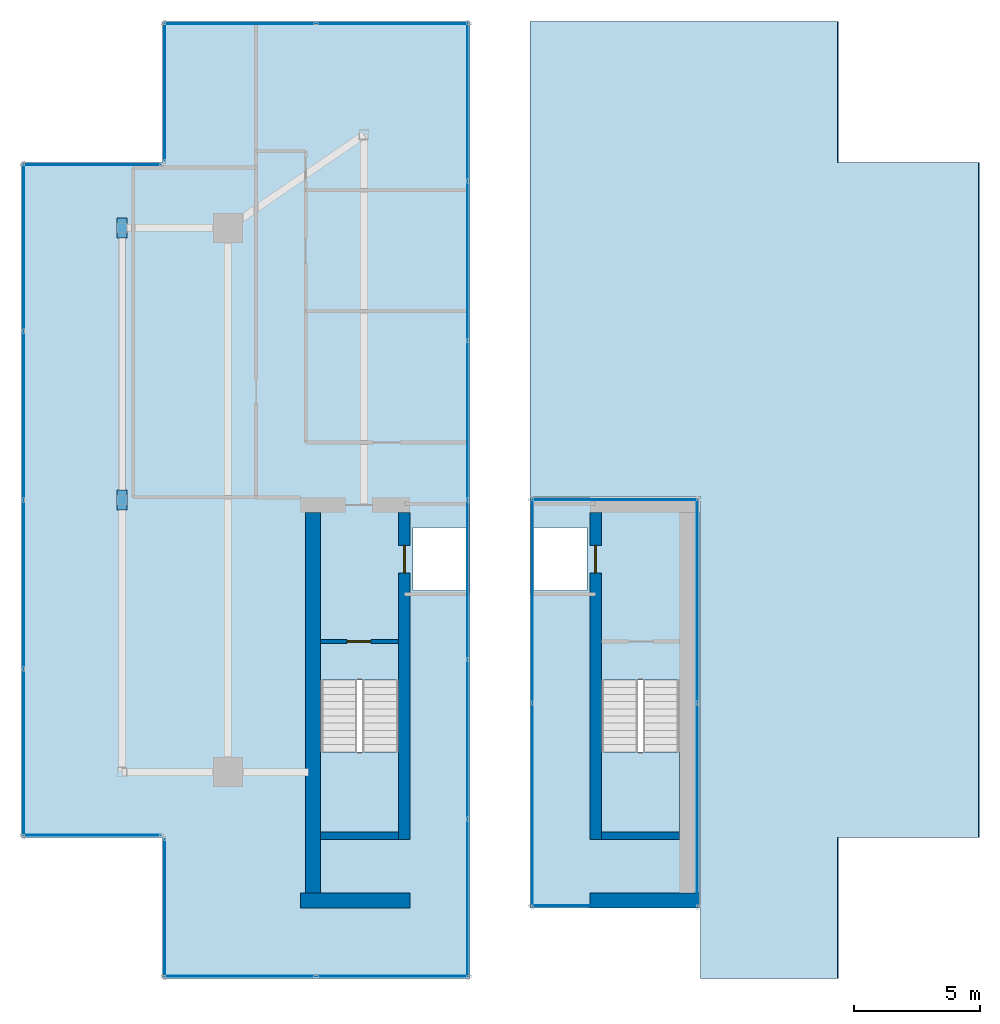
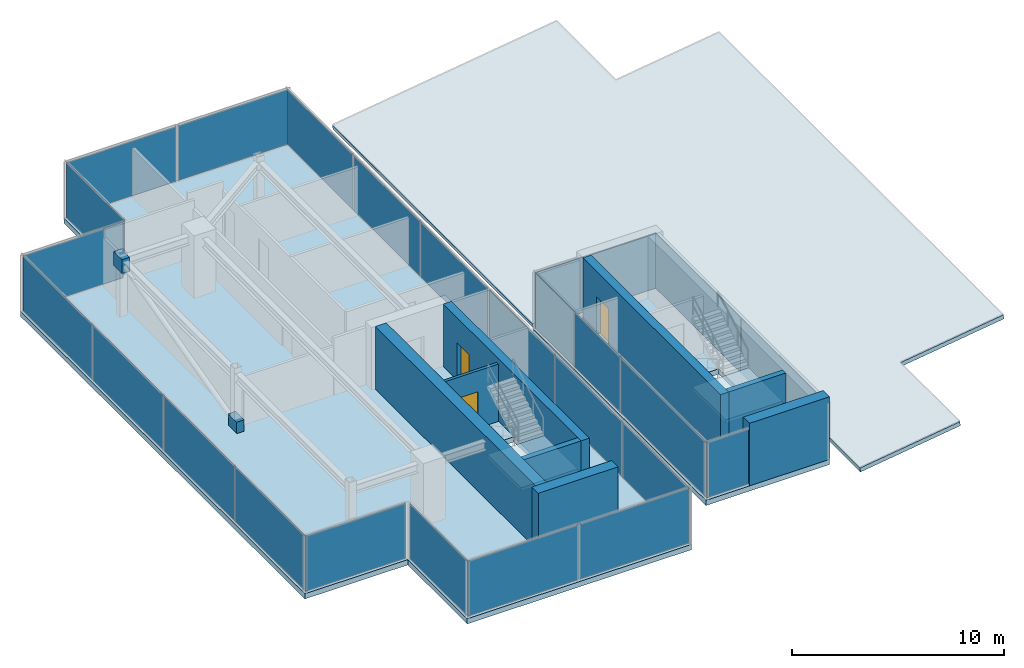
# One storey, part 14 of 16: 26 plates, 8 walls, 5 slabs, 3 doors, 3 openings, 14 elements without a shape of their own.
"""IFC4 building model written with IfcOpenShell, lengths in metres."""

from ifc_helpers import new_model, si_unit, direction, frame, frame_2d, origin, origin_2d, place, context, subcontext, project, spatial, polyline, rectangle, outline, extrude, source, transform, mapped, material, layer, layer_set, type_object, type_shapes, element, fill, aggregate, save


model = new_model("IFC4")

# Units and contexts
model_context = context("Model", 3, precision=1e-05, world=origin(), true_north=direction((0.0, 1.0)))
body_context = subcontext(model_context, "Body", "Model", "MODEL_VIEW")
ifc_project = project(units=[si_unit("LENGTHUNIT", "METRE"), si_unit("AREAUNIT", "SQUARE_METRE"), si_unit("VOLUMEUNIT", "CUBIC_METRE"), si_unit("PLANEANGLEUNIT", "RADIAN"), si_unit("MASSUNIT", "GRAM", prefix="KILO")], contexts=[model_context])

# Site, building, storey
site_placement = place(None, origin())
site = spatial("IfcSite", under=ifc_project, at=site_placement, CompositionType="ELEMENT")
building_placement = place(site_placement, origin())
building = spatial("IfcBuilding", under=site, at=building_placement, Name="Krantzveldt Concourse Tower", CompositionType="ELEMENT")
storey_placement = place(building_placement, frame((0.0, 0.0, 378.25)))
storey = spatial("IfcBuildingStorey", under=building, at=storey_placement, Name="L93", CompositionType="ELEMENT", Elevation=378.25)

# Stair, slab
ifc_material_1 = material(Name="Precast concrete C40/50", Category="concrete")
stair_type = type_object("IfcStairType", Name="STR-CORE-DOGLEG", PredefinedType="HALF_TURN_STAIR", material=ifc_material_1)
stair_1_placement = place(storey_placement, origin())
stair_1 = element("IfcStair", 1, at=stair_1_placement, inside=storey, type_object=stair_type, Name="L93 Protected Escape Stair ST-1", PredefinedType="HALF_TURN_STAIR")
ifc_layer_1 = layer(ifc_material_1, 0.199951171875, Name="Precast concrete C40/50", Category="concrete")
ifc_layer_set_1 = layer_set([ifc_layer_1], Name="Precast concrete C40/50 (SL-LANDING-200)")
slab_type_1 = type_object("IfcSlabType", Name="SL-LANDING-200", PredefinedType="LANDING", material=ifc_layer_set_1)
slab_1_placement = place(storey_placement, frame((0.0, 0.0, 1.60009765625)))
slab_1 = element("IfcSlab", 2, at=slab_1_placement, type_object=slab_type_1, Name="ST-1 landing 1", PredefinedType="LANDING", context=body_context, shape_type="SweptSolid", body=[
    extrude(outline(polyline([(28.8798828125, 16.699951171875), (28.8798828125, 13.52001953125), (31.97998046875, 13.52001953125), (31.97998046875, 16.699951171875), (28.8798828125, 16.699951171875)])), origin(), (0.0, 0.0, 1.0), 0.199951171875),
])
aggregate(stair_1, [slab_1])

stair_2_placement = place(storey_placement, origin())
stair_2 = element("IfcStair", 3, at=stair_2_placement, inside=storey, type_object=stair_type, Name="L93 Protected Escape Stair ST-2", PredefinedType="HALF_TURN_STAIR")
slab_2_placement = place(storey_placement, frame((0.0, 0.0, 1.60009765625)))
slab_2 = element("IfcSlab", 4, at=slab_2_placement, type_object=slab_type_1, Name="ST-2 landing 1", PredefinedType="LANDING", context=body_context, shape_type="SweptSolid", body=[
    extrude(outline(polyline([(40.02001953125, 16.699951171875), (40.02001953125, 13.52001953125), (43.1201171875, 13.52001953125), (43.1201171875, 16.699951171875), (40.02001953125, 16.699951171875)])), origin(), (0.0, 0.0, 1.0), 0.199951171875),
])
aggregate(stair_2, [slab_2])

# Slabs
ifc_material_2 = material(Name="Concrete C40/50", Category="concrete")
ifc_layer_2 = layer(ifc_material_2, 0.300048828125, Name="Concrete C40/50", Category="concrete")
ifc_layer_set_2 = layer_set([ifc_layer_2], Name="Concrete C40/50 (SL-SL-CRN300)")
slab_type_2 = type_object("IfcSlabType", Name="SL-SL-CRN300", PredefinedType="FLOOR", material=ifc_layer_set_2)
slab_3_placement = place(storey_placement, frame((0.0, 0.0, -0.300048828125)))
element("IfcSlab", 5, at=slab_3_placement, inside=storey, type_object=slab_type_2, Name="SL-L93-WEST", PredefinedType="FLOOR", context=body_context, shape_type="SweptSolid", body=[
    extrude(outline(polyline([(22.60009765625, 7.699951171875), (34.800048828125, 7.699951171875), (34.800048828125, 45.699951171875), (22.60009765625, 45.699951171875), (22.60009765625, 40.10009765625), (17.0, 40.10009765625), (17.0, 13.300048828125), (22.60009765625, 13.300048828125), (22.60009765625, 7.699951171875)]), holes=[polyline([(28.8798828125, 19.547607421875), (28.8798828125, 13.52001953125), (31.97998046875, 13.52001953125), (31.97998046875, 19.547607421875), (28.8798828125, 19.547607421875)]), polyline([(32.550048828125, 23.10009765625), (34.64990234375, 23.10009765625), (34.64990234375, 25.60009765625), (32.550048828125, 25.60009765625), (32.550048828125, 23.10009765625)])]), origin(), (0.0, 0.0, 1.0), 0.300048828125),
])
slab_4_placement = place(storey_placement, frame((0.0, 0.0, -0.300048828125)))
element("IfcSlab", 6, at=slab_4_placement, inside=storey, type_object=slab_type_2, Name="SL-L93-EAST", PredefinedType="FLOOR", context=body_context, shape_type="SweptSolid", body=[
    extrude(outline(polyline([(37.199951171875, 10.5), (43.919921875, 10.5), (43.919921875, 26.800048828125), (37.199951171875, 26.800048828125), (37.199951171875, 10.5)]), holes=[polyline([(40.02001953125, 19.547607421875), (40.02001953125, 13.52001953125), (43.1201171875, 13.52001953125), (43.1201171875, 19.547607421875), (40.02001953125, 19.547607421875)]), polyline([(37.35009765625, 23.10009765625), (39.449951171875, 23.10009765625), (39.449951171875, 25.60009765625), (37.35009765625, 25.60009765625), (37.35009765625, 23.10009765625)])]), origin(), (0.0, 0.0, 1.0), 0.300048828125),
])
ifc_layer_3 = layer(ifc_material_1, 0.239990234375, Name="Precast concrete C40/50", Category="concrete")
ifc_layer_set_3 = layer_set([ifc_layer_3], Name="Precast concrete C40/50 (SL-SL-CROOF240)")
slab_type_3 = type_object("IfcSlabType", Name="SL-SL-CROOF240", PredefinedType="ROOF", material=ifc_layer_set_3)
slab_5_placement = place(storey_placement, frame((43.9599609375, 7.699951171875, 1.18603515625), z_axis=(-0.139168289457, -1.38246e-06, 0.990268744941), x_axis=(0.990268744942, 3.5e-11, 0.139168289457)))
element("IfcSlab", 7, at=slab_5_placement, inside=storey, type_object=slab_type_3, Name="SL-L93-EAST_ROOF", PredefinedType="ROOF", context=body_context, shape_type="SweptSolid", body=[
    extrude(outline(polyline([(0.0, 0.0), (5.493418764009721, -2.117582368135751e-22), (5.493418764207177, 5.600097656244649), (11.148527130517373, 5.6000976558407), (11.148527131462322, 32.4001464839401), (5.493418765152128, 32.40014648434404), (5.493418765349574, 37.99999999996369), (-6.826429464720874, 38.000000000303984), (-6.82642946538586, 19.140136719072), (6.748675632469836e-10, 19.14013671873171), (0.0, 0.0)])), origin(), (0.0, 0.0, -1.0), 0.239990234375),
])

# Plates
ifc_material_3 = material(Name="Steel S355J2", Category="steel")
ifc_layer_4 = layer(ifc_material_3, 0.0400390625, Name="Steel S355J2", Category="steel")
ifc_layer_set_4 = layer_set([ifc_layer_4], Name="Steel S355J2 (PL-GUSSET-40)")
plate_type_1 = type_object("IfcPlateType", Name="PL-GUSSET-40", PredefinedType="USERDEFINED", material=ifc_layer_set_4)
shared_shape_1 = source(origin(), body_context, "Body", "SweptSolid", [
    extrude(rectangle(XDim=0.39990234375, YDim=0.800048828125, at=origin_2d()), origin(), (0.0, 0.0, 1.0), 0.800048828125),
])
type_shapes(plate_type_1, [shared_shape_1])
for number, where, z_axis, x_axis, name in (
    (8, (21.0, 26.699951171875, -0.14990234375), (0.0, 0.0, 1.0), (1.0, 0.0, 0.0), "CBR-L93-WEST-GP1"),
    (9, (21.0, 37.5, 2.64990234375), (0.0, 0.0, 1.0), (1.0, 0.0, 0.0), "CBR-L93-WEST-GP2"),
):
    element("IfcPlate", number, at=place(storey_placement, frame(where, z_axis=z_axis, x_axis=x_axis)), inside=storey, type_object=plate_type_1, Name=name, ObjectType="GUSSET PLATE", PredefinedType="USERDEFINED", context=body_context, shape_type="MappedRepresentation", body=[
        mapped(shared_shape_1, transform((0.0, 0.0, 0.0), x_axis=(1.0, 0.0, 0.0), y_axis=(0.0, 1.0, 0.0), z_axis=(0.0, 0.0, 1.0), scale=1.0)),
    ])

# Curtain wall, plates
ifc_material_4 = material(Name="Anodised aluminium 6063-T6", Category="aluminium")
curtain_wall_type = type_object("IfcCurtainWallType", Name="CW7", PredefinedType="USERDEFINED", material=ifc_material_4)
curtain_wall_1_placement = place(storey_placement, origin())
curtain_wall_1 = element("IfcCurtainWall", 10, at=curtain_wall_1_placement, inside=storey, type_object=curtain_wall_type, Name="CW-L93-WEST-00", ObjectType="UNITISED CURTAIN WALL", PredefinedType="USERDEFINED")
ifc_material_5 = material(Name="Bronze-tinted laminated low-E IGU glass", Category="glass")
ifc_layer_5 = layer(ifc_material_5, 0.031982421875, Name="Bronze-tinted laminated low-E IGU glass", Category="glass")
ifc_layer_set_5 = layer_set([ifc_layer_5], Name="Bronze-tinted laminated low-E IGU glass (CW-GLZ-32)")
plate_type_2 = type_object("IfcPlateType", Name="CW-GLZ-32", PredefinedType="CURTAIN_PANEL", material=ifc_layer_set_5)
shared_shape_2 = source(origin(), body_context, "Body", "SweptSolid", [
    extrude(rectangle(XDim=5.9951171875, YDim=0.031982421875, at=origin_2d()), origin(), (0.0, 0.0, 1.0), 3.159912109375),
])
plate_1_placement = place(storey_placement, frame((25.66748046875, 7.7900390625, 0.06982421875), z_axis=(0.0, 0.0, 1.0), x_axis=(1.0, 0.0, 0.0)))
plate_1 = element("IfcPlate", 11, at=plate_1_placement, type_object=plate_type_2, Name="CW-CRN panel 1.1", PredefinedType="CURTAIN_PANEL", context=body_context, shape_type="MappedRepresentation", body=[
    mapped(shared_shape_2, transform((0.0, 0.0, 0.0), x_axis=(1.0, 0.0, 0.0), y_axis=(0.0, 1.0, 0.0), z_axis=(0.0, 0.0, 1.0), scale=1.0)),
])
plate_2_placement = place(storey_placement, frame((31.732421875, 7.7900390625, 0.06982421875), z_axis=(0.0, 0.0, 1.0), x_axis=(1.0, 0.0, 0.0)))
plate_2 = element("IfcPlate", 12, at=plate_2_placement, type_object=plate_type_2, Name="CW-CRN panel 2.1", PredefinedType="CURTAIN_PANEL", context=body_context, shape_type="MappedRepresentation", body=[
    mapped(shared_shape_2, transform((0.0, 0.0, 0.0), x_axis=(1.0, 0.0, 0.0), y_axis=(0.0, 1.0, 0.0), z_axis=(0.0, 0.0, 1.0), scale=1.0)),
])
aggregate(curtain_wall_1, [plate_1, plate_2])

curtain_wall_2_placement = place(storey_placement, origin())
curtain_wall_2 = element("IfcCurtainWall", 13, at=curtain_wall_2_placement, inside=storey, type_object=curtain_wall_type, Name="CW-L93-WEST-02", ObjectType="UNITISED CURTAIN WALL", PredefinedType="USERDEFINED")
plate_3_placement = place(storey_placement, frame((31.732421875, 45.610107421875, 0.06982421875), z_axis=(0.0, 0.0, 1.0), x_axis=(-1.0, 0.0, 0.0)))
plate_3 = element("IfcPlate", 14, at=plate_3_placement, type_object=plate_type_2, Name="CW-CRN panel 1.1", PredefinedType="CURTAIN_PANEL", context=body_context, shape_type="MappedRepresentation", body=[
    mapped(shared_shape_2, transform((0.0, 0.0, 0.0), x_axis=(1.0, 0.0, 0.0), y_axis=(0.0, 1.0, 0.0), z_axis=(0.0, 0.0, 1.0), scale=1.0)),
])
plate_4_placement = place(storey_placement, frame((25.66748046875, 45.610107421875, 0.06982421875), z_axis=(0.0, 0.0, 1.0), x_axis=(-1.0, 0.0, 0.0)))
plate_4 = element("IfcPlate", 15, at=plate_4_placement, type_object=plate_type_2, Name="CW-CRN panel 2.1", PredefinedType="CURTAIN_PANEL", context=body_context, shape_type="MappedRepresentation", body=[
    mapped(shared_shape_2, transform((0.0, 0.0, 0.0), x_axis=(1.0, 0.0, 0.0), y_axis=(0.0, 1.0, 0.0), z_axis=(0.0, 0.0, 1.0), scale=1.0)),
])
aggregate(curtain_wall_2, [plate_3, plate_4])

curtain_wall_3_placement = place(storey_placement, origin())
curtain_wall_3 = element("IfcCurtainWall", 16, at=curtain_wall_3_placement, inside=storey, type_object=curtain_wall_type, Name="CW-L93-WEST-01", ObjectType="UNITISED CURTAIN WALL", PredefinedType="USERDEFINED")
shared_shape_3 = source(origin(), body_context, "Body", "SweptSolid", [
    extrude(rectangle(XDim=6.228271484375, YDim=0.031982421875, at=origin_2d()), origin(), (0.0, 0.0, 1.0), 3.159912109375),
])
plate_5_placement = place(storey_placement, frame((34.7099609375, 10.88427734375, 0.06982421875), z_axis=(0.0, 0.0, 1.0), x_axis=(0.0, 1.0, 0.0)))
plate_5 = element("IfcPlate", 17, at=plate_5_placement, type_object=plate_type_2, Name="CW-CRN panel 1.1", PredefinedType="CURTAIN_PANEL", context=body_context, shape_type="MappedRepresentation", body=[
    mapped(shared_shape_3, transform((0.0, 0.0, 0.0), x_axis=(1.0, 0.0, 0.0), y_axis=(0.0, 1.0, 0.0), z_axis=(0.0, 0.0, 1.0), scale=1.0)),
])
plate_6_placement = place(storey_placement, frame((34.7099609375, 42.515869140625, 0.06982421875), z_axis=(0.0, 0.0, 1.0), x_axis=(0.0, 1.0, 0.0)))
plate_6 = element("IfcPlate", 18, at=plate_6_placement, type_object=plate_type_2, Name="CW-CRN panel 6.1", PredefinedType="CURTAIN_PANEL", context=body_context, shape_type="MappedRepresentation", body=[
    mapped(shared_shape_3, transform((0.0, 0.0, 0.0), x_axis=(1.0, 0.0, 0.0), y_axis=(0.0, 1.0, 0.0), z_axis=(0.0, 0.0, 1.0), scale=1.0)),
])
shared_shape_4 = source(origin(), body_context, "Body", "SweptSolid", [
    extrude(rectangle(XDim=6.263427734375, YDim=0.031982421875, at=origin_2d()), origin(), (0.0, 0.0, 1.0), 3.159912109375),
])
plate_7_placement = place(storey_placement, frame((34.7099609375, 17.199951171875, 0.06982421875), z_axis=(0.0, 0.0, 1.0), x_axis=(0.0, 1.0, 0.0)))
plate_7 = element("IfcPlate", 19, at=plate_7_placement, type_object=plate_type_2, Name="CW-CRN panel 2.1", PredefinedType="CURTAIN_PANEL", context=body_context, shape_type="MappedRepresentation", body=[
    mapped(shared_shape_4, transform((0.0, 0.0, 0.0), x_axis=(1.0, 0.0, 0.0), y_axis=(0.0, 1.0, 0.0), z_axis=(0.0, 0.0, 1.0), scale=1.0)),
])
plate_8_placement = place(storey_placement, frame((34.7099609375, 23.533447265625, 0.06982421875), z_axis=(0.0, 0.0, 1.0), x_axis=(0.0, 1.0, 0.0)))
plate_8 = element("IfcPlate", 20, at=plate_8_placement, type_object=plate_type_2, Name="CW-CRN panel 3.1", PredefinedType="CURTAIN_PANEL", context=body_context, shape_type="MappedRepresentation", body=[
    mapped(shared_shape_4, transform((0.0, 0.0, 0.0), x_axis=(1.0, 0.0, 0.0), y_axis=(0.0, 1.0, 0.0), z_axis=(0.0, 0.0, 1.0), scale=1.0)),
])
plate_9_placement = place(storey_placement, frame((34.7099609375, 29.86669921875, 0.06982421875), z_axis=(0.0, 0.0, 1.0), x_axis=(0.0, 1.0, 0.0)))
plate_9 = element("IfcPlate", 21, at=plate_9_placement, type_object=plate_type_2, Name="CW-CRN panel 4.1", PredefinedType="CURTAIN_PANEL", context=body_context, shape_type="MappedRepresentation", body=[
    mapped(shared_shape_4, transform((0.0, 0.0, 0.0), x_axis=(1.0, 0.0, 0.0), y_axis=(0.0, 1.0, 0.0), z_axis=(0.0, 0.0, 1.0), scale=1.0)),
])
plate_10_placement = place(storey_placement, frame((34.7099609375, 36.199951171875, 0.06982421875), z_axis=(0.0, 0.0, 1.0), x_axis=(0.0, 1.0, 0.0)))
plate_10 = element("IfcPlate", 22, at=plate_10_placement, type_object=plate_type_2, Name="CW-CRN panel 5.1", PredefinedType="CURTAIN_PANEL", context=body_context, shape_type="MappedRepresentation", body=[
    mapped(shared_shape_4, transform((0.0, 0.0, 0.0), x_axis=(1.0, 0.0, 0.0), y_axis=(0.0, 1.0, 0.0), z_axis=(0.0, 0.0, 1.0), scale=1.0)),
])
aggregate(curtain_wall_3, [plate_5, plate_7, plate_8, plate_9, plate_10, plate_6])

# Curtain wall, plate
curtain_wall_4_placement = place(storey_placement, origin())
curtain_wall_4 = element("IfcCurtainWall", 23, at=curtain_wall_4_placement, inside=storey, type_object=curtain_wall_type, Name="CW-L93-WEST-03", ObjectType="UNITISED CURTAIN WALL", PredefinedType="USERDEFINED")
shared_shape_5 = source(origin(), body_context, "Body", "SweptSolid", [
    extrude(rectangle(XDim=5.4599609375, YDim=0.031982421875, at=origin_2d()), origin(), (0.0, 0.0, 1.0), 3.159912109375),
])
plate_11_placement = place(storey_placement, frame((22.68994140625, 42.89990234375, 0.06982421875), z_axis=(0.0, 0.0, 1.0), x_axis=(0.0, -1.0, 0.0)))
plate_11 = element("IfcPlate", 24, at=plate_11_placement, type_object=plate_type_2, Name="CW-CRN panel 1.1", PredefinedType="CURTAIN_PANEL", context=body_context, shape_type="MappedRepresentation", body=[
    mapped(shared_shape_5, transform((0.0, 0.0, 0.0), x_axis=(1.0, 0.0, 0.0), y_axis=(0.0, 1.0, 0.0), z_axis=(0.0, 0.0, 1.0), scale=1.0)),
])
aggregate(curtain_wall_4, [plate_11])

curtain_wall_5_placement = place(storey_placement, origin())
curtain_wall_5 = element("IfcCurtainWall", 25, at=curtain_wall_5_placement, inside=storey, type_object=curtain_wall_type, Name="CW-L93-WEST-04", ObjectType="UNITISED CURTAIN WALL", PredefinedType="USERDEFINED")
plate_12_placement = place(storey_placement, frame((19.800048828125, 40.010009765625, 0.06982421875), z_axis=(0.0, 0.0, 1.0), x_axis=(-1.0, 0.0, 0.0)))
plate_12 = element("IfcPlate", 26, at=plate_12_placement, type_object=plate_type_2, Name="CW-CRN panel 1.1", PredefinedType="CURTAIN_PANEL", context=body_context, shape_type="MappedRepresentation", body=[
    mapped(shared_shape_5, transform((0.0, 0.0, 0.0), x_axis=(1.0, 0.0, 0.0), y_axis=(0.0, 1.0, 0.0), z_axis=(0.0, 0.0, 1.0), scale=1.0)),
])
aggregate(curtain_wall_5, [plate_12])

curtain_wall_6_placement = place(storey_placement, origin())
curtain_wall_6 = element("IfcCurtainWall", 27, at=curtain_wall_6_placement, inside=storey, type_object=curtain_wall_type, Name="CW-L93-WEST-06", ObjectType="UNITISED CURTAIN WALL", PredefinedType="USERDEFINED")
plate_13_placement = place(storey_placement, frame((19.800048828125, 13.389892578125, 0.06982421875), z_axis=(0.0, 0.0, 1.0), x_axis=(1.0, 0.0, 0.0)))
plate_13 = element("IfcPlate", 28, at=plate_13_placement, type_object=plate_type_2, Name="CW-CRN panel 1.1", PredefinedType="CURTAIN_PANEL", context=body_context, shape_type="MappedRepresentation", body=[
    mapped(shared_shape_5, transform((0.0, 0.0, 0.0), x_axis=(1.0, 0.0, 0.0), y_axis=(0.0, 1.0, 0.0), z_axis=(0.0, 0.0, 1.0), scale=1.0)),
])
aggregate(curtain_wall_6, [plate_13])

curtain_wall_7_placement = place(storey_placement, origin())
curtain_wall_7 = element("IfcCurtainWall", 29, at=curtain_wall_7_placement, inside=storey, type_object=curtain_wall_type, Name="CW-L93-WEST-07", ObjectType="UNITISED CURTAIN WALL", PredefinedType="USERDEFINED")
plate_14_placement = place(storey_placement, frame((22.68994140625, 10.5, 0.06982421875), z_axis=(0.0, 0.0, 1.0), x_axis=(0.0, -1.0, 0.0)))
plate_14 = element("IfcPlate", 30, at=plate_14_placement, type_object=plate_type_2, Name="CW-CRN panel 1.1", PredefinedType="CURTAIN_PANEL", context=body_context, shape_type="MappedRepresentation", body=[
    mapped(shared_shape_5, transform((0.0, 0.0, 0.0), x_axis=(1.0, 0.0, 0.0), y_axis=(0.0, 1.0, 0.0), z_axis=(0.0, 0.0, 1.0), scale=1.0)),
])
aggregate(curtain_wall_7, [plate_14])

# Curtain wall, plates
curtain_wall_8_placement = place(storey_placement, origin())
curtain_wall_8 = element("IfcCurtainWall", 31, at=curtain_wall_8_placement, inside=storey, type_object=curtain_wall_type, Name="CW-L93-WEST-05", ObjectType="UNITISED CURTAIN WALL", PredefinedType="USERDEFINED")
shared_shape_6 = source(origin(), body_context, "Body", "SweptSolid", [
    extrude(rectangle(XDim=6.594970703125, YDim=0.031982421875, at=origin_2d()), origin(), (0.0, 0.0, 1.0), 3.159912109375),
])
plate_15_placement = place(storey_placement, frame((17.090087890625, 36.732421875, 0.06982421875), z_axis=(0.0, 0.0, 1.0), x_axis=(0.0, -1.0, 0.0)))
plate_15 = element("IfcPlate", 32, at=plate_15_placement, type_object=plate_type_2, Name="CW-CRN panel 1.1", PredefinedType="CURTAIN_PANEL", context=body_context, shape_type="MappedRepresentation", body=[
    mapped(shared_shape_6, transform((0.0, 0.0, 0.0), x_axis=(1.0, 0.0, 0.0), y_axis=(0.0, 1.0, 0.0), z_axis=(0.0, 0.0, 1.0), scale=1.0)),
])
plate_16_placement = place(storey_placement, frame((17.090087890625, 16.66748046875, 0.06982421875), z_axis=(0.0, 0.0, 1.0), x_axis=(0.0, -1.0, 0.0)))
plate_16 = element("IfcPlate", 33, at=plate_16_placement, type_object=plate_type_2, Name="CW-CRN panel 4.1", PredefinedType="CURTAIN_PANEL", context=body_context, shape_type="MappedRepresentation", body=[
    mapped(shared_shape_6, transform((0.0, 0.0, 0.0), x_axis=(1.0, 0.0, 0.0), y_axis=(0.0, 1.0, 0.0), z_axis=(0.0, 0.0, 1.0), scale=1.0)),
])
shared_shape_7 = source(origin(), body_context, "Body", "SweptSolid", [
    extrude(rectangle(XDim=6.6298828125, YDim=0.031982421875, at=origin_2d()), origin(), (0.0, 0.0, 1.0), 3.159912109375),
])
plate_17_placement = place(storey_placement, frame((17.090087890625, 30.050048828125, 0.06982421875), z_axis=(0.0, 0.0, 1.0), x_axis=(0.0, -1.0, 0.0)))
plate_17 = element("IfcPlate", 34, at=plate_17_placement, type_object=plate_type_2, Name="CW-CRN panel 2.1", PredefinedType="CURTAIN_PANEL", context=body_context, shape_type="MappedRepresentation", body=[
    mapped(shared_shape_7, transform((0.0, 0.0, 0.0), x_axis=(1.0, 0.0, 0.0), y_axis=(0.0, 1.0, 0.0), z_axis=(0.0, 0.0, 1.0), scale=1.0)),
])
plate_18_placement = place(storey_placement, frame((17.090087890625, 23.35009765625, 0.06982421875), z_axis=(0.0, 0.0, 1.0), x_axis=(0.0, -1.0, 0.0)))
plate_18 = element("IfcPlate", 35, at=plate_18_placement, type_object=plate_type_2, Name="CW-CRN panel 3.1", PredefinedType="CURTAIN_PANEL", context=body_context, shape_type="MappedRepresentation", body=[
    mapped(shared_shape_7, transform((0.0, 0.0, 0.0), x_axis=(1.0, 0.0, 0.0), y_axis=(0.0, 1.0, 0.0), z_axis=(0.0, 0.0, 1.0), scale=1.0)),
])
aggregate(curtain_wall_8, [plate_15, plate_17, plate_18, plate_16])

# Curtain wall, plate
curtain_wall_9_placement = place(storey_placement, origin())
curtain_wall_9 = element("IfcCurtainWall", 36, at=curtain_wall_9_placement, inside=storey, type_object=curtain_wall_type, Name="CW-L93-EAST-00", ObjectType="UNITISED CURTAIN WALL", PredefinedType="USERDEFINED")
shared_shape_8 = source(origin(), body_context, "Body", "SweptSolid", [
    extrude(rectangle(XDim=6.580078125, YDim=0.031982421875, at=origin_2d()), origin(), (0.0, 0.0, 1.0), 3.159912109375),
])
plate_19_placement = place(storey_placement, frame((40.56005859375, 10.590087890625, 0.06982421875), z_axis=(0.0, 0.0, 1.0), x_axis=(1.0, 0.0, 0.0)))
plate_19 = element("IfcPlate", 37, at=plate_19_placement, type_object=plate_type_2, Name="CW-CRN panel 1.1", PredefinedType="CURTAIN_PANEL", context=body_context, shape_type="MappedRepresentation", body=[
    mapped(shared_shape_8, transform((0.0, 0.0, 0.0), x_axis=(1.0, 0.0, 0.0), y_axis=(0.0, 1.0, 0.0), z_axis=(0.0, 0.0, 1.0), scale=1.0)),
])
aggregate(curtain_wall_9, [plate_19])

curtain_wall_10_placement = place(storey_placement, origin())
curtain_wall_10 = element("IfcCurtainWall", 38, at=curtain_wall_10_placement, inside=storey, type_object=curtain_wall_type, Name="CW-L93-EAST-02", ObjectType="UNITISED CURTAIN WALL", PredefinedType="USERDEFINED")
plate_20_placement = place(storey_placement, frame((40.56005859375, 26.7099609375, 0.06982421875), z_axis=(0.0, 0.0, 1.0), x_axis=(-1.0, 0.0, 0.0)))
plate_20 = element("IfcPlate", 39, at=plate_20_placement, type_object=plate_type_2, Name="CW-CRN panel 1.1", PredefinedType="CURTAIN_PANEL", context=body_context, shape_type="MappedRepresentation", body=[
    mapped(shared_shape_8, transform((0.0, 0.0, 0.0), x_axis=(1.0, 0.0, 0.0), y_axis=(0.0, 1.0, 0.0), z_axis=(0.0, 0.0, 1.0), scale=1.0)),
])
aggregate(curtain_wall_10, [plate_20])

# Curtain wall, plates
curtain_wall_11_placement = place(storey_placement, origin())
curtain_wall_11 = element("IfcCurtainWall", 40, at=curtain_wall_11_placement, inside=storey, type_object=curtain_wall_type, Name="CW-L93-EAST-01", ObjectType="UNITISED CURTAIN WALL", PredefinedType="USERDEFINED")
shared_shape_9 = source(origin(), body_context, "Body", "SweptSolid", [
    extrude(rectangle(XDim=8.044921875, YDim=0.031982421875, at=origin_2d()), origin(), (0.0, 0.0, 1.0), 3.159912109375),
])
type_shapes(plate_type_2, [shared_shape_2, shared_shape_3, shared_shape_4, shared_shape_5, shared_shape_6, shared_shape_7, shared_shape_8, shared_shape_9])
plate_21_placement = place(storey_placement, frame((43.830078125, 14.592529296875, 0.06982421875), z_axis=(0.0, 0.0, 1.0), x_axis=(0.0, 1.0, 0.0)))
plate_21 = element("IfcPlate", 41, at=plate_21_placement, type_object=plate_type_2, Name="CW-CRN panel 1.1", PredefinedType="CURTAIN_PANEL", context=body_context, shape_type="MappedRepresentation", body=[
    mapped(shared_shape_9, transform((0.0, 0.0, 0.0), x_axis=(1.0, 0.0, 0.0), y_axis=(0.0, 1.0, 0.0), z_axis=(0.0, 0.0, 1.0), scale=1.0)),
])
plate_22_placement = place(storey_placement, frame((43.830078125, 22.70751953125, 0.06982421875), z_axis=(0.0, 0.0, 1.0), x_axis=(0.0, 1.0, 0.0)))
plate_22 = element("IfcPlate", 42, at=plate_22_placement, type_object=plate_type_2, Name="CW-CRN panel 2.1", PredefinedType="CURTAIN_PANEL", context=body_context, shape_type="MappedRepresentation", body=[
    mapped(shared_shape_9, transform((0.0, 0.0, 0.0), x_axis=(1.0, 0.0, 0.0), y_axis=(0.0, 1.0, 0.0), z_axis=(0.0, 0.0, 1.0), scale=1.0)),
])
aggregate(curtain_wall_11, [plate_21, plate_22])

curtain_wall_12_placement = place(storey_placement, origin())
curtain_wall_12 = element("IfcCurtainWall", 43, at=curtain_wall_12_placement, inside=storey, type_object=curtain_wall_type, Name="CW-L93-EAST-03", ObjectType="UNITISED CURTAIN WALL", PredefinedType="USERDEFINED")
plate_23_placement = place(storey_placement, frame((37.2900390625, 22.70751953125, 0.06982421875), z_axis=(0.0, 0.0, 1.0), x_axis=(0.0, -1.0, 0.0)))
plate_23 = element("IfcPlate", 44, at=plate_23_placement, type_object=plate_type_2, Name="CW-CRN panel 1.1", PredefinedType="CURTAIN_PANEL", context=body_context, shape_type="MappedRepresentation", body=[
    mapped(shared_shape_9, transform((0.0, 0.0, 0.0), x_axis=(1.0, 0.0, 0.0), y_axis=(0.0, 1.0, 0.0), z_axis=(0.0, 0.0, 1.0), scale=1.0)),
])
plate_24_placement = place(storey_placement, frame((37.2900390625, 14.592529296875, 0.06982421875), z_axis=(0.0, 0.0, 1.0), x_axis=(0.0, -1.0, 0.0)))
plate_24 = element("IfcPlate", 45, at=plate_24_placement, type_object=plate_type_2, Name="CW-CRN panel 2.1", PredefinedType="CURTAIN_PANEL", context=body_context, shape_type="MappedRepresentation", body=[
    mapped(shared_shape_9, transform((0.0, 0.0, 0.0), x_axis=(1.0, 0.0, 0.0), y_axis=(0.0, 1.0, 0.0), z_axis=(0.0, 0.0, 1.0), scale=1.0)),
])
aggregate(curtain_wall_12, [plate_23, plate_24])

# Wall, opening, door
ifc_material_6 = material(Name="Fire-rated gypsum plasterboard on steel stud", Category="steel")
ifc_layer_6 = layer(ifc_material_6, 0.159912109375, Name="Fire-rated gypsum plasterboard on steel stud", Category="steel")
ifc_layer_set_6 = layer_set([ifc_layer_6], Name="Fire-rated gypsum plasterboard on steel stud (WL-PART-FR160)")
wall_type_1 = type_object("IfcWallType", Name="WL-PART-FR160", PredefinedType="PARTITIONING", material=ifc_layer_set_6)
wall_1_placement = place(storey_placement, frame((28.8798828125, 21.080078125, 0.0), z_axis=(0.0, 0.0, 1.0), x_axis=(1.0, 0.0, 0.0)))
wall_1 = element("IfcWall", 46, at=wall_1_placement, inside=storey, type_object=wall_type_1, Name="WP-L93-ST1", PredefinedType="PARTITIONING", context=body_context, shape_type="SweptSolid", body=[
    extrude(rectangle(XDim=3.10009765625, YDim=0.159912109375, at=frame_2d((1.550048828125, 0.0))), origin(), (0.0, 0.0, 1.0), 3.300048828125),
])
opening_1_placement = place(wall_1_placement, frame((1.044921875, 0.0, 0.0)))
opening_1 = element("IfcOpeningElement", 47, at=opening_1_placement, cuts=wall_1, Name="Opening D-FD095", PredefinedType="OPENING", context=body_context, shape_type="SweptSolid", body=[
    extrude(rectangle(XDim=0.949951171875, YDim=2.10009765625, at=frame_2d((0.47509765625, 1.050048828125))), frame((0.0, 0.08984375, 0.0), z_axis=(0.0, -1.0, 0.0), x_axis=(1.0, 0.0, 0.0)), (0.0, 0.0, 1.0), 0.179931640625),
])
ifc_material_7 = material(Name="Galvanised steel", Category="steel")
door_type_1 = type_object("IfcDoorType", Name="DR-FD120-950", OperationType="SINGLE_SWING_LEFT", PredefinedType="DOOR", material=ifc_material_7)
door_1_placement = place(opening_1_placement, origin())
door_1 = element("IfcDoor", 48, at=door_1_placement, inside=storey, type_object=door_type_1, Name="DR-L93-ST1", OperationType="SINGLE_SWING_RIGHT", OverallHeight=2.10009765625, OverallWidth=0.949951171875, PredefinedType="DOOR", context=body_context, shape_type="SweptSolid", body=[
    extrude(rectangle(XDim=0.949951171875, YDim=2.10009765625, at=frame_2d((0.47509765625, 1.050048828125))), frame((0.0, 0.02490234375, 0.0), z_axis=(0.0, -1.0, 0.0), x_axis=(1.0, 0.0, 0.0)), (0.0, 0.0, 1.0), 0.050048828125),
])
fill(opening_1, door_1)

# Walls
ifc_material_8 = material(Name="Concrete C50/60", Category="concrete")
ifc_layer_7 = layer(ifc_material_8, 0.300048828125, Name="Concrete C50/60", Category="concrete")
ifc_layer_set_7 = layer_set([ifc_layer_7], Name="Concrete C50/60 (WL-SHEAR-300)")
wall_type_2 = type_object("IfcWallType", Name="WL-SHEAR-300", PredefinedType="SHEAR", material=ifc_layer_set_7)
for number, where, z_axis, x_axis, name in (
    (49, (28.8798828125, 13.3701171875, 0.0), (0.0, 0.0, 1.0), (1.0, 0.0, 0.0), "CW-L93-ST1S"),
    (50, (40.02001953125, 13.3701171875, 0.0), (0.0, 0.0, 1.0), (1.0, 0.0, 0.0), "CW-L93-ST2S"),
):
    element("IfcWall", number, at=place(storey_placement, frame(where, z_axis=z_axis, x_axis=x_axis)), inside=storey, type_object=wall_type_2, Name=name, PredefinedType="SHEAR", context=body_context, shape_type="SweptSolid", body=[
        extrude(rectangle(XDim=3.10009765625, YDim=0.300048828125, at=frame_2d((1.550048828125, 0.0))), origin(), (0.0, 0.0, 1.0), 3.60009765625),
    ])

# Wall, opening, door
ifc_layer_8 = layer(ifc_material_8, 0.449951171875, Name="Concrete C50/60", Category="concrete")
ifc_layer_set_8 = layer_set([ifc_layer_8], Name="Concrete C50/60 (WL-SHEAR-450)")
wall_type_3 = type_object("IfcWallType", Name="WL-SHEAR-450", PredefinedType="SHEAR", material=ifc_layer_set_8)
wall_2_placement = place(storey_placement, frame((32.205078125, 13.219970703125, 0.0), z_axis=(0.0, 0.0, 1.0), x_axis=(0.0, 1.0, 0.0)))
wall_2 = element("IfcWall", 51, at=wall_2_placement, inside=storey, type_object=wall_type_3, Name="CW-L93-WC-E", PredefinedType="SHEAR", context=body_context, shape_type="SweptSolid", body=[
    extrude(rectangle(XDim=12.97998046875, YDim=0.449951171875, at=frame_2d((6.489990234375, 0.0))), origin(), (0.0, 0.0, 1.0), 3.60009765625),
])
opening_2_placement = place(wall_2_placement, frame((10.580078125, 0.0, 0.0)))
opening_2 = element("IfcOpeningElement", 52, at=opening_2_placement, cuts=wall_2, Name="Opening LD", PredefinedType="OPENING", context=body_context, shape_type="SweptSolid", body=[
    extrude(rectangle(XDim=1.10009765625, YDim=2.14990234375, at=frame_2d((0.550048828125, 1.074951171875))), frame((0.0, 0.23486328125, 0.0), z_axis=(0.0, -1.0, 0.0), x_axis=(1.0, 0.0, 0.0)), (0.0, 0.0, 1.0), 0.469970703125),
])
ifc_material_9 = material(Name="Stainless steel 316L", Category="steel")
door_type_2 = type_object("IfcDoorType", Name="DR-SLIDE-LD1100", OperationType="DOUBLE_DOOR_SLIDING", PredefinedType="DOOR", material=ifc_material_9)
door_2_placement = place(opening_2_placement, origin())
door_2 = element("IfcDoor", 53, at=door_2_placement, inside=storey, type_object=door_type_2, Name="LD-L93-FL1", OperationType="DOUBLE_DOOR_SLIDING", OverallHeight=2.14990234375, OverallWidth=1.10009765625, PredefinedType="DOOR", context=body_context, shape_type="SweptSolid", body=[
    extrude(rectangle(XDim=1.10009765625, YDim=2.14990234375, at=frame_2d((0.550048828125, 1.074951171875))), frame((0.0, 0.02490234375, 0.0), z_axis=(0.0, -1.0, 0.0), x_axis=(1.0, 0.0, 0.0)), (0.0, 0.0, 1.0), 0.050048828125),
])
fill(opening_2, door_2)

wall_3_placement = place(storey_placement, frame((39.794921875, 13.219970703125, 0.0), z_axis=(0.0, 0.0, 1.0), x_axis=(0.0, 1.0, 0.0)))
wall_3 = element("IfcWall", 54, at=wall_3_placement, inside=storey, type_object=wall_type_3, Name="CW-L93-EC-W", PredefinedType="SHEAR", context=body_context, shape_type="SweptSolid", body=[
    extrude(rectangle(XDim=12.97998046875, YDim=0.449951171875, at=frame_2d((6.489990234375, 0.0))), origin(), (0.0, 0.0, 1.0), 3.60009765625),
])
opening_3_placement = place(wall_3_placement, frame((10.580078125, 0.0, 0.0)))
opening_3 = element("IfcOpeningElement", 55, at=opening_3_placement, cuts=wall_3, Name="Opening LD", PredefinedType="OPENING", context=body_context, shape_type="SweptSolid", body=[
    extrude(rectangle(XDim=1.10009765625, YDim=2.14990234375, at=frame_2d((0.550048828125, 1.074951171875))), frame((0.0, 0.23486328125, 0.0), z_axis=(0.0, -1.0, 0.0), x_axis=(1.0, 0.0, 0.0)), (0.0, 0.0, 1.0), 0.469970703125),
])
door_3_placement = place(opening_3_placement, origin())
door_3 = element("IfcDoor", 56, at=door_3_placement, inside=storey, type_object=door_type_2, Name="LD-L93-FL2", OperationType="DOUBLE_DOOR_SLIDING", OverallHeight=2.14990234375, OverallWidth=1.10009765625, PredefinedType="DOOR", context=body_context, shape_type="SweptSolid", body=[
    extrude(rectangle(XDim=1.10009765625, YDim=2.14990234375, at=frame_2d((0.550048828125, 1.074951171875))), frame((0.0, 0.02490234375, 0.0), z_axis=(0.0, -1.0, 0.0), x_axis=(1.0, 0.0, 0.0)), (0.0, 0.0, 1.0), 0.050048828125),
])
fill(opening_3, door_3)

# Walls
ifc_layer_9 = layer(ifc_material_8, 0.60009765625, Name="Concrete C50/60", Category="concrete")
ifc_layer_set_9 = layer_set([ifc_layer_9], Name="Concrete C50/60 (WL-SHEAR-600)")
wall_type_4 = type_object("IfcWallType", Name="WL-SHEAR-600", PredefinedType="SHEAR", material=ifc_layer_set_9)
wall_4_placement = place(storey_placement, frame((28.080078125, 10.800048828125, 0.0), z_axis=(0.0, 0.0, 1.0), x_axis=(1.0, 0.0, 0.0)))
element("IfcWall", 57, at=wall_4_placement, inside=storey, type_object=wall_type_4, Name="CW-L93-WC-S", PredefinedType="SHEAR", context=body_context, shape_type="SweptSolid", body=[
    extrude(rectangle(XDim=4.349853515625, YDim=0.60009765625, at=frame_2d((2.1748046875, 0.0))), origin(), (0.0, 0.0, 1.0), 3.60009765625),
])
wall_5_placement = place(storey_placement, frame((28.580078125, 11.10009765625, 0.0), z_axis=(0.0, 0.0, 1.0), x_axis=(0.0, 1.0, 0.0)))
element("IfcWall", 58, at=wall_5_placement, inside=storey, type_object=wall_type_4, Name="CW-L93-WC-W", PredefinedType="SHEAR", context=body_context, shape_type="SweptSolid", body=[
    extrude(rectangle(XDim=15.099853515625, YDim=0.60009765625, at=frame_2d((7.5498046875, 0.0))), origin(), (0.0, 0.0, 1.0), 3.60009765625),
])
wall_6_placement = place(storey_placement, frame((39.570068359375, 10.800048828125, 0.0), z_axis=(0.0, 0.0, 1.0), x_axis=(1.0, 0.0, 0.0)))
element("IfcWall", 59, at=wall_6_placement, inside=storey, type_object=wall_type_4, Name="CW-L93-EC-S", PredefinedType="SHEAR", context=body_context, shape_type="SweptSolid", body=[
    extrude(rectangle(XDim=4.349853515625, YDim=0.60009765625, at=frame_2d((2.1748046875, 0.0))), origin(), (0.0, 0.0, 1.0), 3.60009765625),
])

save(model, "model.ifc")
